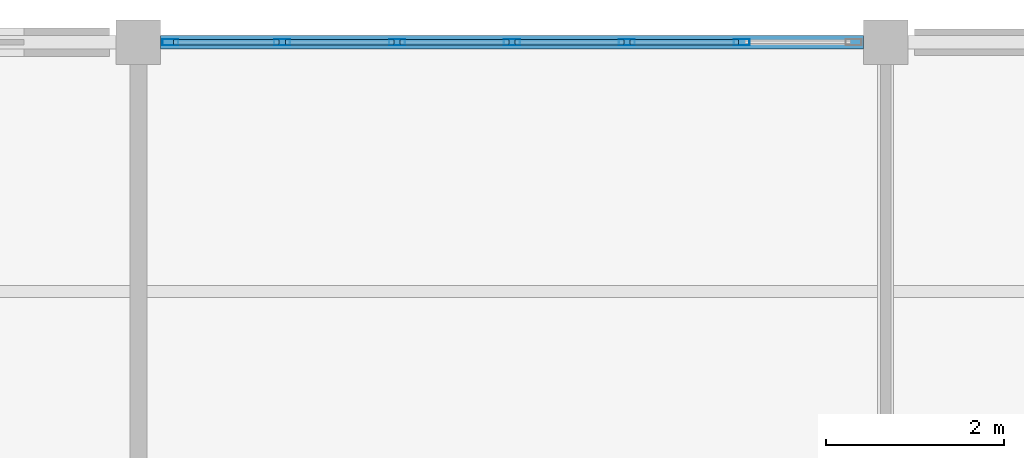
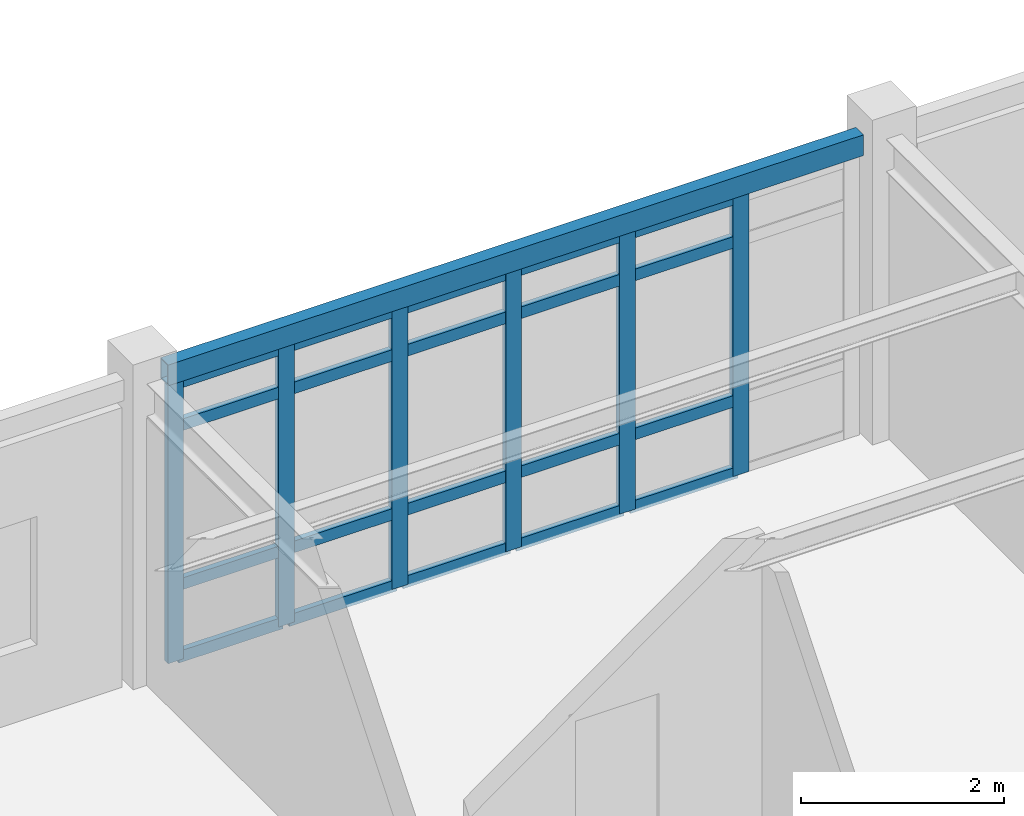
# One storey, part 16 of 53: 26 members, 1 beam, 1 element without a shape of its own.
"""IFC4 building model written with IfcOpenShell, lengths in metres."""

import ifcopenshell
import ifcopenshell.guid

model = None  # the IFC model being written
_history = None  # IfcOwnerHistory: only IFC2X3 demands one
_inside = {}  # id of a spatial element -> (the spatial element, [elements in it])
_under = {}  # id of a project, library or spatial element -> (it, [spatial elements below it])
_declared = {}  # id of a project -> (the project, [libraries it declares])
_typed = {}  # id of a type object -> (the type object, [elements of that type])
_made_of = {}  # id of a material, layer set ... -> (it, [elements and type objects made of it])


def new_model(schema):
    """Start an empty IFC model of exactly this schema.

    Asked for "IFC4X3", IfcOpenShell would pick the latest addendum, in which some entities
    have other attributes; the version numbers below select the first issue.
    IFC2X3 requires an IfcOwnerHistory on every rooted entity: one is made here for all.
    """
    global model, _history
    if schema == "IFC4X3":
        model = ifcopenshell.file(schema_version=(4, 3, 0, 0))
    else:
        model = ifcopenshell.file(schema=schema)
    _inside.clear()
    _under.clear()
    _declared.clear()
    _typed.clear()
    _made_of.clear()
    _history = None
    if model.schema == "IFC2X3":
        org = make("IfcOrganization", Name="unknown")
        user = make(
            "IfcPersonAndOrganization",
            ThePerson=make("IfcPerson", FamilyName="unknown"),
            TheOrganization=org,
        )
        app = make(
            "IfcApplication",
            ApplicationDeveloper=org,
            Version="unknown",
            ApplicationFullName="unknown",
            ApplicationIdentifier="unknown",
        )
        _history = make(
            "IfcOwnerHistory",
            OwningUser=user,
            OwningApplication=app,
            ChangeAction="ADDED",
            CreationDate=0,
        )
    return model


def make(cls, **values):
    """One entity of the class cls with the attributes given. An attribute that is None is left unset."""
    return model.create_entity(
        cls, **{name: value for name, value in values.items() if value is not None}
    )


def rooted(cls, **values):
    """An entity with a GlobalId (a new one), such as an element, a storey or a relation."""
    return make(cls, GlobalId=ifcopenshell.guid.new(), OwnerHistory=_history, **values)


def si_unit(unit_type, name, prefix=None):
    """IfcSIUnit, for example si_unit("LENGTHUNIT", "METRE", prefix="MILLI")."""
    return make("IfcSIUnit", UnitType=unit_type, Prefix=prefix, Name=name)


def assignment(units):
    """IfcUnitAssignment: the units of a project."""
    return None if units is None else make("IfcUnitAssignment", Units=units)


def point(xyz):
    """IfcCartesianPoint."""
    return None if xyz is None else make("IfcCartesianPoint", Coordinates=xyz)


def direction(xyz):
    """IfcDirection."""
    return None if xyz is None else make("IfcDirection", DirectionRatios=xyz)


def frame(location, z_axis=None, x_axis=None):
    """IfcAxis2Placement3D, a coordinate frame: its origin and axes. An axis left out is left unset."""
    return make(
        "IfcAxis2Placement3D",
        Location=point(location),
        Axis=direction(z_axis),
        RefDirection=direction(x_axis),
    )


def frame_2d(location, x_axis=None):
    """IfcAxis2Placement2D, a coordinate frame in the plane: its origin and x axis."""
    return make(
        "IfcAxis2Placement2D", Location=point(location), RefDirection=direction(x_axis)
    )


def origin():
    """The frame at (0, 0, 0) with its axes left unset."""
    return frame((0.0, 0.0, 0.0))


def origin_2d():
    """The frame at (0, 0) in the plane with its x axis left unset."""
    return frame_2d((0.0, 0.0))


def place(relative_to, where):
    """IfcLocalPlacement: puts the frame where relative to a parent placement (None: the world)."""
    return make(
        "IfcLocalPlacement", PlacementRelTo=relative_to, RelativePlacement=where
    )


def context(
    kind, dimensions, precision=None, world=None, true_north=None, identifier=None
):
    """IfcGeometricRepresentationContext, for example the 3D "Model" context."""
    return make(
        "IfcGeometricRepresentationContext",
        ContextIdentifier=identifier,
        ContextType=kind,
        CoordinateSpaceDimension=dimensions,
        Precision=precision,
        WorldCoordinateSystem=world,
        TrueNorth=true_north,
    )


def subcontext(parent, identifier, kind, view, scale=None):
    """IfcGeometricRepresentationSubContext, for example "Body" below "Model"."""
    return make(
        "IfcGeometricRepresentationSubContext",
        ContextIdentifier=identifier,
        ContextType=kind,
        ParentContext=parent,
        TargetScale=scale,
        TargetView=view,
    )


def project(units=None, contexts=None):
    """IfcProject with its units and contexts."""
    return rooted(
        "IfcProject",
        Name="project",
        RepresentationContexts=contexts,
        UnitsInContext=assignment(units),
    )


def spatial(cls, under=None, at=None, **own):
    """A site, building, storey or space (cls), placed at a placement, below another one or the project."""
    s = rooted(cls, ObjectPlacement=at, **own)
    if under is not None:
        _under.setdefault(under.id(), (under, []))[1].append(s)
    return s


def profile(cls, at=None, kind="AREA", **sizes):
    """A parametric profile (cls). Its sizes go by their IFC names, for example OverallWidth=200.0."""
    return make(cls, ProfileType=kind, Position=at, **sizes)


def hollow_rectangle(**sizes):
    """IfcRectangleHollowProfileDef."""
    return profile("IfcRectangleHollowProfileDef", **sizes)


def extrude(swept, where, along, depth):
    """IfcExtrudedAreaSolid: the profile swept, set in the frame where, extruded along a direction by depth."""
    return make(
        "IfcExtrudedAreaSolid",
        SweptArea=swept,
        Position=where,
        ExtrudedDirection=direction(along),
        Depth=depth,
    )


def shape(context_of_items, identifier, shape_type, items):
    """IfcShapeRepresentation: the items that make up one representation, for example the "Body"."""
    return make(
        "IfcShapeRepresentation",
        ContextOfItems=context_of_items,
        RepresentationIdentifier=identifier,
        RepresentationType=shape_type,
        Items=items,
    )


def material(Name=None, Category=None):
    """IfcMaterial."""
    return make("IfcMaterial", Name=Name, Category=Category)


def layer(
    of_material, thickness, ventilated=None, Name=None, Category=None, Priority=None
):
    """IfcMaterialLayer: one layer of a wall or slab, of a material (None: an air gap)."""
    return make(
        "IfcMaterialLayer",
        Material=of_material,
        LayerThickness=thickness,
        IsVentilated=ventilated,
        Name=Name,
        Category=Category,
        Priority=Priority,
    )


def layer_set(layers, Name=None):
    """IfcMaterialLayerSet."""
    return make("IfcMaterialLayerSet", MaterialLayers=layers, LayerSetName=Name)


def material_profile(
    of_material, cross_section, Name=None, Category=None, Priority=None
):
    """IfcMaterialProfile: a cross section and its material."""
    return make(
        "IfcMaterialProfile",
        Name=Name,
        Material=of_material,
        Profile=cross_section,
        Priority=Priority,
        Category=Category,
    )


def profile_set(profiles, Name=None, composite=None):
    """IfcMaterialProfileSet."""
    return make(
        "IfcMaterialProfileSet",
        Name=Name,
        MaterialProfiles=profiles,
        CompositeProfile=composite,
    )


def made_of(thing, what):
    """Note that an element or type object is made of a material, layer set ...; save() writes the relation."""
    if what is not None:
        _made_of.setdefault(what.id(), (what, []))[1].append(thing)
    return thing


def type_object(cls, material=None, **own):
    """A type object (cls), such as IfcWallType, which elements share."""
    return made_of(rooted(cls, **own), material)


def element(
    cls,
    number,
    at=None,
    inside=None,
    cuts=None,
    type_object=None,
    material=None,
    context=None,
    identifier="Body",
    shape_type=None,
    held_by="IfcProductDefinitionShape",
    body=None,
    shapes=None,
    **own,
):
    """One element of the class cls, such as IfcWall. Its Tag is "e" and its number.

    at: its placement. inside: the storey or other place that contains it. cuts: it is an
    opening in that element (IfcRelVoidsElement). A single representation is given by context,
    identifier, shape_type and body (its items); several are given by shapes. held_by: the class
    of the entity that holds the representations. save() writes the other relations.
    """
    e = rooted(cls, Tag="e%d" % number, ObjectPlacement=at, **own)
    if body is not None:
        shapes = [shape(context, identifier, shape_type, body)]
    if shapes is not None:
        e.Representation = make(held_by, Representations=shapes)
    if inside is not None:
        _inside.setdefault(inside.id(), (inside, []))[1].append(e)
    if cuts is not None:
        rooted(
            "IfcRelVoidsElement", RelatingBuildingElement=cuts, RelatedOpeningElement=e
        )
    if type_object is not None:
        _typed.setdefault(type_object.id(), (type_object, []))[1].append(e)
    return made_of(e, material)


def aggregate(whole, parts):
    """IfcRelAggregates: a whole, such as a stair, and the parts it consists of."""
    return rooted("IfcRelAggregates", RelatingObject=whole, RelatedObjects=parts)


def save(model, path):
    """Write the relations noted so far, then the file.

    IfcRelAggregates (storeys below a building ...), IfcRelContainedInSpatialStructure (elements
    in a storey), IfcRelDefinesByType, IfcRelAssociatesMaterial and IfcRelDeclares: one each for
    every whole, place, type object, material and project.
    """
    for whole, parts in _under.values():
        aggregate(whole, parts)
    for where, things in _inside.values():
        rooted(
            "IfcRelContainedInSpatialStructure",
            RelatedElements=things,
            RelatingStructure=where,
        )
    for kind, things in _typed.values():
        rooted("IfcRelDefinesByType", RelatedObjects=things, RelatingType=kind)
    for what, things in _made_of.values():
        rooted("IfcRelAssociatesMaterial", RelatedObjects=things, RelatingMaterial=what)
    for by, libraries in _declared.values():
        rooted("IfcRelDeclares", RelatingContext=by, RelatedDefinitions=libraries)
    model.write(path)


model = new_model("IFC4")

# Units and contexts
model_context = context("Model", 3, precision=1e-05, world=origin(), true_north=direction((0.0, 1.0)))
body_context = subcontext(model_context, "Body", "Model", "MODEL_VIEW")
ifc_project = project(units=[si_unit("LENGTHUNIT", "METRE"), si_unit("AREAUNIT", "SQUARE_METRE"), si_unit("VOLUMEUNIT", "CUBIC_METRE"), si_unit("PLANEANGLEUNIT", "RADIAN"), si_unit("MASSUNIT", "GRAM", prefix="KILO")], contexts=[model_context])

# Site, building, storey
site_placement = place(None, origin())
site = spatial("IfcSite", under=ifc_project, at=site_placement, CompositionType="ELEMENT")
building_placement = place(site_placement, origin())
building = spatial("IfcBuilding", under=site, at=building_placement, Name="Bramfleet General Hospital", CompositionType="ELEMENT")
storey_placement = place(building_placement, frame((0.0, 0.0, 26.39990234375)))
storey = spatial("IfcBuildingStorey", under=building, at=storey_placement, Name="L06", CompositionType="ELEMENT", Elevation=26.39990234375)

# Beam
ifc_material_1 = material(Name="Steel S355", Category="steel")
ifc_material_profile_1 = material_profile(ifc_material_1, hollow_rectangle(XDim=0.14990234375, YDim=0.25, WallThickness=0.010009765625, at=origin_2d()), Name="RHS 250x150x10.0")
ifc_profile_set_1 = profile_set([ifc_material_profile_1], Name="Steel S355")
beam_type = type_object("IfcBeamType", Name="BM-RHS250", PredefinedType="SPANDREL", material=ifc_profile_set_1)
beam_placement = place(storey_placement, frame((75.85009765625, 117.60009765625, 3.4951171875), z_axis=(1.0, 0.0, 0.0), x_axis=(0.0, 1.0, 0.0)))
element("IfcBeam", 1, at=beam_placement, inside=storey, type_object=beam_type, Name="L06 Grid Beam X 09-14", PredefinedType="SPANDREL", context=body_context, shape_type="SweptSolid", body=[
    extrude(hollow_rectangle(XDim=0.14990234375, YDim=0.25, WallThickness=0.010009765625, at=origin_2d()), origin(), (0.0, 0.0, 1.0), 7.89990234375),
])

# Curtain wall, members
ifc_material_2 = material(Name="Anodised aluminium and low-E triple glazing", Category="aluminium")
ifc_layer = layer(ifc_material_2, 0.179931640625, Name="CWT-CW-16")
ifc_layer_set = layer_set([ifc_layer], Name="Anodised aluminium and low-E triple glazing")
curtain_wall_type = type_object("IfcCurtainWallType", Name="CWT-CW-16", PredefinedType="USERDEFINED", material=ifc_layer_set)
curtain_wall_placement = place(storey_placement, origin())
curtain_wall = element("IfcCurtainWall", 2, at=curtain_wall_placement, inside=storey, type_object=curtain_wall_type, Name="L06 Curtain Wall 214", ObjectType="Stick curtain wall", PredefinedType="USERDEFINED")
ifc_material_3 = material(Name="Anodised aluminium EN AW-6060", Category="aluminium")
ifc_material_profile_2 = material_profile(ifc_material_3, hollow_rectangle(XDim=0.070068359375, YDim=0.179931640625, WallThickness=0.00390625, at=origin_2d()), Name="ALU 180x70x4.0")
ifc_profile_set_2 = profile_set([ifc_material_profile_2], Name="Anodised aluminium EN AW-6060")
member_type_1 = type_object("IfcMemberType", Name="CWM-ALU180", PredefinedType="MULLION", material=ifc_profile_set_2)
member_1_placement = place(storey_placement, frame((75.9599609375, 117.60009765625, 0.0), z_axis=(0.0, 0.0, 1.0), x_axis=(0.0, 1.0, 0.0)))
member_1 = element("IfcMember", 3, at=member_1_placement, type_object=member_type_1, Name="CW-16 mullion 1", PredefinedType="MULLION", context=body_context, shape_type="SweptSolid", body=[
    extrude(hollow_rectangle(XDim=0.070068359375, YDim=0.179931640625, WallThickness=0.00390625, at=origin_2d()), origin(), (0.0, 0.0, 1.0), 3.360107421875),
])
member_2_placement = place(storey_placement, frame((77.216552734375, 117.60009765625, 0.0), z_axis=(0.0, 0.0, 1.0), x_axis=(0.0, 1.0, 0.0)))
member_2 = element("IfcMember", 4, at=member_2_placement, type_object=member_type_1, Name="CW-16 mullion 2", PredefinedType="MULLION", context=body_context, shape_type="SweptSolid", body=[
    extrude(hollow_rectangle(XDim=0.070068359375, YDim=0.179931640625, WallThickness=0.00390625, at=origin_2d()), origin(), (0.0, 0.0, 1.0), 3.360107421875),
])
member_3_placement = place(storey_placement, frame((78.50830078125, 117.60009765625, 0.0), z_axis=(0.0, 0.0, 1.0), x_axis=(0.0, 1.0, 0.0)))
member_3 = element("IfcMember", 5, at=member_3_placement, type_object=member_type_1, Name="CW-16 mullion 3", PredefinedType="MULLION", context=body_context, shape_type="SweptSolid", body=[
    extrude(hollow_rectangle(XDim=0.070068359375, YDim=0.179931640625, WallThickness=0.00390625, at=origin_2d()), origin(), (0.0, 0.0, 1.0), 3.360107421875),
])
member_4_placement = place(storey_placement, frame((79.800048828125, 117.60009765625, 0.0), z_axis=(0.0, 0.0, 1.0), x_axis=(0.0, 1.0, 0.0)))
member_4 = element("IfcMember", 6, at=member_4_placement, type_object=member_type_1, Name="CW-16 mullion 4", PredefinedType="MULLION", context=body_context, shape_type="SweptSolid", body=[
    extrude(hollow_rectangle(XDim=0.070068359375, YDim=0.179931640625, WallThickness=0.00390625, at=origin_2d()), origin(), (0.0, 0.0, 1.0), 3.360107421875),
])
member_5_placement = place(storey_placement, frame((81.091552734375, 117.60009765625, 0.0), z_axis=(0.0, 0.0, 1.0), x_axis=(0.0, 1.0, 0.0)))
member_5 = element("IfcMember", 7, at=member_5_placement, type_object=member_type_1, Name="CW-16 mullion 5", PredefinedType="MULLION", context=body_context, shape_type="SweptSolid", body=[
    extrude(hollow_rectangle(XDim=0.070068359375, YDim=0.179931640625, WallThickness=0.00390625, at=origin_2d()), origin(), (0.0, 0.0, 1.0), 3.360107421875),
])
member_6_placement = place(storey_placement, frame((82.38330078125, 117.60009765625, 0.0), z_axis=(0.0, 0.0, 1.0), x_axis=(0.0, 1.0, 0.0)))
member_6 = element("IfcMember", 8, at=member_6_placement, type_object=member_type_1, Name="CW-16 mullion 6", PredefinedType="MULLION", context=body_context, shape_type="SweptSolid", body=[
    extrude(hollow_rectangle(XDim=0.070068359375, YDim=0.179931640625, WallThickness=0.00390625, at=origin_2d()), origin(), (0.0, 0.0, 1.0), 3.360107421875),
])
ifc_material_profile_3 = material_profile(ifc_material_3, hollow_rectangle(XDim=0.06494140625, YDim=0.139892578125, WallThickness=0.00390625, at=origin_2d()), Name="ALU 140x65x4.0")
ifc_profile_set_3 = profile_set([ifc_material_profile_3], Name="Anodised aluminium EN AW-6060")
member_type_2 = type_object("IfcMemberType", Name="CWT-ALU140", PredefinedType="USERDEFINED", material=ifc_profile_set_3)
member_7_placement = place(storey_placement, frame((75.9951171875, 117.60009765625, 0.03271484375), z_axis=(1.0, 0.0, 0.0), x_axis=(0.0, 1.0, 0.0)))
member_7 = element("IfcMember", 9, at=member_7_placement, type_object=member_type_2, Name="CW-16 transom 1.1", ObjectType="TRANSOM", PredefinedType="USERDEFINED", context=body_context, shape_type="SweptSolid", body=[
    extrude(hollow_rectangle(XDim=0.06494140625, YDim=0.139892578125, WallThickness=0.00390625, at=origin_2d()), origin(), (0.0, 0.0, 1.0), 1.1865234375),
])
member_8_placement = place(storey_placement, frame((75.9951171875, 117.60009765625, 0.900146484375), z_axis=(1.0, 0.0, 0.0), x_axis=(0.0, 1.0, 0.0)))
member_8 = element("IfcMember", 10, at=member_8_placement, type_object=member_type_2, Name="CW-16 transom 1.2", ObjectType="TRANSOM", PredefinedType="USERDEFINED", context=body_context, shape_type="SweptSolid", body=[
    extrude(hollow_rectangle(XDim=0.06494140625, YDim=0.139892578125, WallThickness=0.00390625, at=origin_2d()), origin(), (0.0, 0.0, 1.0), 1.1865234375),
])
member_9_placement = place(storey_placement, frame((75.9951171875, 117.60009765625, 2.81005859375), z_axis=(1.0, 0.0, 0.0), x_axis=(0.0, 1.0, 0.0)))
member_9 = element("IfcMember", 11, at=member_9_placement, type_object=member_type_2, Name="CW-16 transom 1.3", ObjectType="TRANSOM", PredefinedType="USERDEFINED", context=body_context, shape_type="SweptSolid", body=[
    extrude(hollow_rectangle(XDim=0.06494140625, YDim=0.139892578125, WallThickness=0.00390625, at=origin_2d()), origin(), (0.0, 0.0, 1.0), 1.1865234375),
])
member_10_placement = place(storey_placement, frame((75.9951171875, 117.60009765625, 3.32763671875), z_axis=(1.0, 0.0, 0.0), x_axis=(0.0, 1.0, 0.0)))
member_10 = element("IfcMember", 12, at=member_10_placement, type_object=member_type_2, Name="CW-16 transom 1.4", ObjectType="TRANSOM", PredefinedType="USERDEFINED", context=body_context, shape_type="SweptSolid", body=[
    extrude(hollow_rectangle(XDim=0.06494140625, YDim=0.139892578125, WallThickness=0.00390625, at=origin_2d()), origin(), (0.0, 0.0, 1.0), 1.1865234375),
])
member_11_placement = place(storey_placement, frame((77.251708984375, 117.60009765625, 0.03271484375), z_axis=(1.0, 0.0, 0.0), x_axis=(0.0, 1.0, 0.0)))
member_11 = element("IfcMember", 13, at=member_11_placement, type_object=member_type_2, Name="CW-16 transom 2.1", ObjectType="TRANSOM", PredefinedType="USERDEFINED", context=body_context, shape_type="SweptSolid", body=[
    extrude(hollow_rectangle(XDim=0.06494140625, YDim=0.139892578125, WallThickness=0.00390625, at=origin_2d()), origin(), (0.0, 0.0, 1.0), 1.2216796875),
])
member_12_placement = place(storey_placement, frame((77.251708984375, 117.60009765625, 0.900146484375), z_axis=(1.0, 0.0, 0.0), x_axis=(0.0, 1.0, 0.0)))
member_12 = element("IfcMember", 14, at=member_12_placement, type_object=member_type_2, Name="CW-16 transom 2.2", ObjectType="TRANSOM", PredefinedType="USERDEFINED", context=body_context, shape_type="SweptSolid", body=[
    extrude(hollow_rectangle(XDim=0.06494140625, YDim=0.139892578125, WallThickness=0.00390625, at=origin_2d()), origin(), (0.0, 0.0, 1.0), 1.2216796875),
])
member_13_placement = place(storey_placement, frame((77.251708984375, 117.60009765625, 2.81005859375), z_axis=(1.0, 0.0, 0.0), x_axis=(0.0, 1.0, 0.0)))
member_13 = element("IfcMember", 15, at=member_13_placement, type_object=member_type_2, Name="CW-16 transom 2.3", ObjectType="TRANSOM", PredefinedType="USERDEFINED", context=body_context, shape_type="SweptSolid", body=[
    extrude(hollow_rectangle(XDim=0.06494140625, YDim=0.139892578125, WallThickness=0.00390625, at=origin_2d()), origin(), (0.0, 0.0, 1.0), 1.2216796875),
])
member_14_placement = place(storey_placement, frame((77.251708984375, 117.60009765625, 3.32763671875), z_axis=(1.0, 0.0, 0.0), x_axis=(0.0, 1.0, 0.0)))
member_14 = element("IfcMember", 16, at=member_14_placement, type_object=member_type_2, Name="CW-16 transom 2.4", ObjectType="TRANSOM", PredefinedType="USERDEFINED", context=body_context, shape_type="SweptSolid", body=[
    extrude(hollow_rectangle(XDim=0.06494140625, YDim=0.139892578125, WallThickness=0.00390625, at=origin_2d()), origin(), (0.0, 0.0, 1.0), 1.2216796875),
])
member_15_placement = place(storey_placement, frame((78.543212890625, 117.60009765625, 0.03271484375), z_axis=(1.0, 0.0, 0.0), x_axis=(0.0, 1.0, 0.0)))
member_15 = element("IfcMember", 17, at=member_15_placement, type_object=member_type_2, Name="CW-16 transom 3.1", ObjectType="TRANSOM", PredefinedType="USERDEFINED", context=body_context, shape_type="SweptSolid", body=[
    extrude(hollow_rectangle(XDim=0.06494140625, YDim=0.139892578125, WallThickness=0.00390625, at=origin_2d()), origin(), (0.0, 0.0, 1.0), 1.2216796875),
])
member_16_placement = place(storey_placement, frame((78.543212890625, 117.60009765625, 0.900146484375), z_axis=(1.0, 0.0, 0.0), x_axis=(0.0, 1.0, 0.0)))
member_16 = element("IfcMember", 18, at=member_16_placement, type_object=member_type_2, Name="CW-16 transom 3.2", ObjectType="TRANSOM", PredefinedType="USERDEFINED", context=body_context, shape_type="SweptSolid", body=[
    extrude(hollow_rectangle(XDim=0.06494140625, YDim=0.139892578125, WallThickness=0.00390625, at=origin_2d()), origin(), (0.0, 0.0, 1.0), 1.2216796875),
])
member_17_placement = place(storey_placement, frame((78.543212890625, 117.60009765625, 2.81005859375), z_axis=(1.0, 0.0, 0.0), x_axis=(0.0, 1.0, 0.0)))
member_17 = element("IfcMember", 19, at=member_17_placement, type_object=member_type_2, Name="CW-16 transom 3.3", ObjectType="TRANSOM", PredefinedType="USERDEFINED", context=body_context, shape_type="SweptSolid", body=[
    extrude(hollow_rectangle(XDim=0.06494140625, YDim=0.139892578125, WallThickness=0.00390625, at=origin_2d()), origin(), (0.0, 0.0, 1.0), 1.2216796875),
])
member_18_placement = place(storey_placement, frame((78.543212890625, 117.60009765625, 3.32763671875), z_axis=(1.0, 0.0, 0.0), x_axis=(0.0, 1.0, 0.0)))
member_18 = element("IfcMember", 20, at=member_18_placement, type_object=member_type_2, Name="CW-16 transom 3.4", ObjectType="TRANSOM", PredefinedType="USERDEFINED", context=body_context, shape_type="SweptSolid", body=[
    extrude(hollow_rectangle(XDim=0.06494140625, YDim=0.139892578125, WallThickness=0.00390625, at=origin_2d()), origin(), (0.0, 0.0, 1.0), 1.2216796875),
])
member_19_placement = place(storey_placement, frame((79.8349609375, 117.60009765625, 0.03271484375), z_axis=(1.0, 0.0, 0.0), x_axis=(0.0, 1.0, 0.0)))
member_19 = element("IfcMember", 21, at=member_19_placement, type_object=member_type_2, Name="CW-16 transom 4.1", ObjectType="TRANSOM", PredefinedType="USERDEFINED", context=body_context, shape_type="SweptSolid", body=[
    extrude(hollow_rectangle(XDim=0.06494140625, YDim=0.139892578125, WallThickness=0.00390625, at=origin_2d()), origin(), (0.0, 0.0, 1.0), 1.2216796875),
])
member_20_placement = place(storey_placement, frame((79.8349609375, 117.60009765625, 0.900146484375), z_axis=(1.0, 0.0, 0.0), x_axis=(0.0, 1.0, 0.0)))
member_20 = element("IfcMember", 22, at=member_20_placement, type_object=member_type_2, Name="CW-16 transom 4.2", ObjectType="TRANSOM", PredefinedType="USERDEFINED", context=body_context, shape_type="SweptSolid", body=[
    extrude(hollow_rectangle(XDim=0.06494140625, YDim=0.139892578125, WallThickness=0.00390625, at=origin_2d()), origin(), (0.0, 0.0, 1.0), 1.2216796875),
])
member_21_placement = place(storey_placement, frame((79.8349609375, 117.60009765625, 2.81005859375), z_axis=(1.0, 0.0, 0.0), x_axis=(0.0, 1.0, 0.0)))
member_21 = element("IfcMember", 23, at=member_21_placement, type_object=member_type_2, Name="CW-16 transom 4.3", ObjectType="TRANSOM", PredefinedType="USERDEFINED", context=body_context, shape_type="SweptSolid", body=[
    extrude(hollow_rectangle(XDim=0.06494140625, YDim=0.139892578125, WallThickness=0.00390625, at=origin_2d()), origin(), (0.0, 0.0, 1.0), 1.2216796875),
])
member_22_placement = place(storey_placement, frame((79.8349609375, 117.60009765625, 3.32763671875), z_axis=(1.0, 0.0, 0.0), x_axis=(0.0, 1.0, 0.0)))
member_22 = element("IfcMember", 24, at=member_22_placement, type_object=member_type_2, Name="CW-16 transom 4.4", ObjectType="TRANSOM", PredefinedType="USERDEFINED", context=body_context, shape_type="SweptSolid", body=[
    extrude(hollow_rectangle(XDim=0.06494140625, YDim=0.139892578125, WallThickness=0.00390625, at=origin_2d()), origin(), (0.0, 0.0, 1.0), 1.2216796875),
])
member_23_placement = place(storey_placement, frame((81.126708984375, 117.60009765625, 0.03271484375), z_axis=(1.0, 0.0, 0.0), x_axis=(0.0, 1.0, 0.0)))
member_23 = element("IfcMember", 25, at=member_23_placement, type_object=member_type_2, Name="CW-16 transom 5.1", ObjectType="TRANSOM", PredefinedType="USERDEFINED", context=body_context, shape_type="SweptSolid", body=[
    extrude(hollow_rectangle(XDim=0.06494140625, YDim=0.139892578125, WallThickness=0.00390625, at=origin_2d()), origin(), (0.0, 0.0, 1.0), 1.2216796875),
])
member_24_placement = place(storey_placement, frame((81.126708984375, 117.60009765625, 0.900146484375), z_axis=(1.0, 0.0, 0.0), x_axis=(0.0, 1.0, 0.0)))
member_24 = element("IfcMember", 26, at=member_24_placement, type_object=member_type_2, Name="CW-16 transom 5.2", ObjectType="TRANSOM", PredefinedType="USERDEFINED", context=body_context, shape_type="SweptSolid", body=[
    extrude(hollow_rectangle(XDim=0.06494140625, YDim=0.139892578125, WallThickness=0.00390625, at=origin_2d()), origin(), (0.0, 0.0, 1.0), 1.2216796875),
])
member_25_placement = place(storey_placement, frame((81.126708984375, 117.60009765625, 2.81005859375), z_axis=(1.0, 0.0, 0.0), x_axis=(0.0, 1.0, 0.0)))
member_25 = element("IfcMember", 27, at=member_25_placement, type_object=member_type_2, Name="CW-16 transom 5.3", ObjectType="TRANSOM", PredefinedType="USERDEFINED", context=body_context, shape_type="SweptSolid", body=[
    extrude(hollow_rectangle(XDim=0.06494140625, YDim=0.139892578125, WallThickness=0.00390625, at=origin_2d()), origin(), (0.0, 0.0, 1.0), 1.2216796875),
])
member_26_placement = place(storey_placement, frame((81.126708984375, 117.60009765625, 3.32763671875), z_axis=(1.0, 0.0, 0.0), x_axis=(0.0, 1.0, 0.0)))
member_26 = element("IfcMember", 28, at=member_26_placement, type_object=member_type_2, Name="CW-16 transom 5.4", ObjectType="TRANSOM", PredefinedType="USERDEFINED", context=body_context, shape_type="SweptSolid", body=[
    extrude(hollow_rectangle(XDim=0.06494140625, YDim=0.139892578125, WallThickness=0.00390625, at=origin_2d()), origin(), (0.0, 0.0, 1.0), 1.2216796875),
])
aggregate(curtain_wall, [member_1, member_2, member_3, member_4, member_5, member_6, member_7, member_8, member_9, member_10, member_11, member_12, member_13, member_14, member_15, member_16, member_17, member_18, member_19, member_20, member_21, member_22, member_23, member_24, member_25, member_26])

save(model, "model.ifc")
